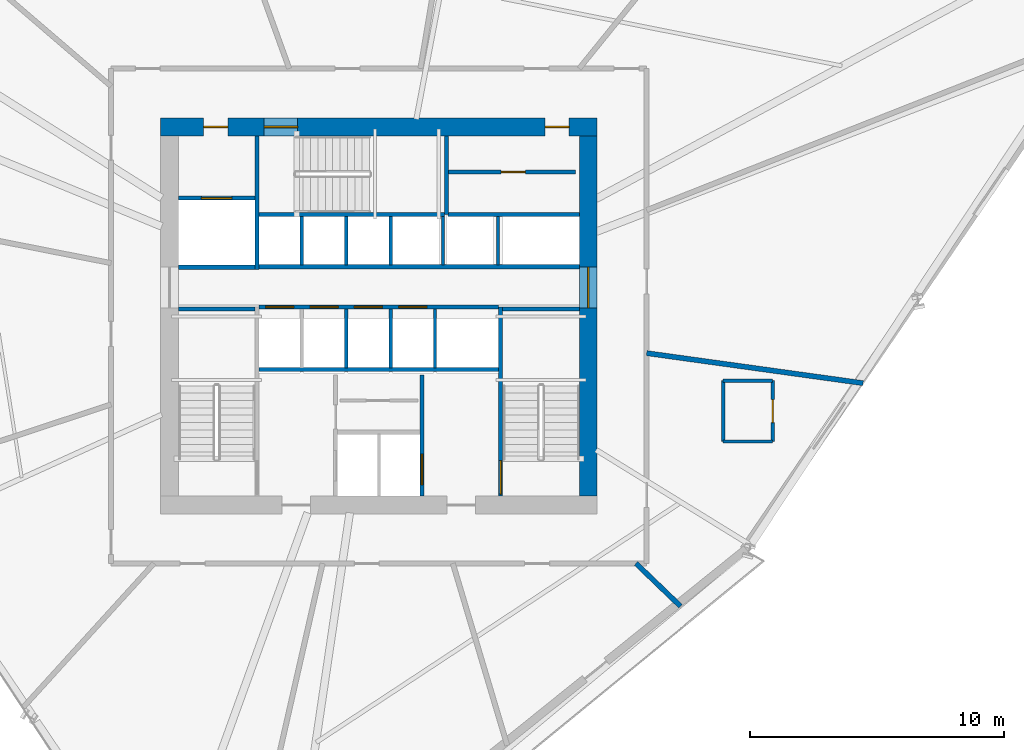
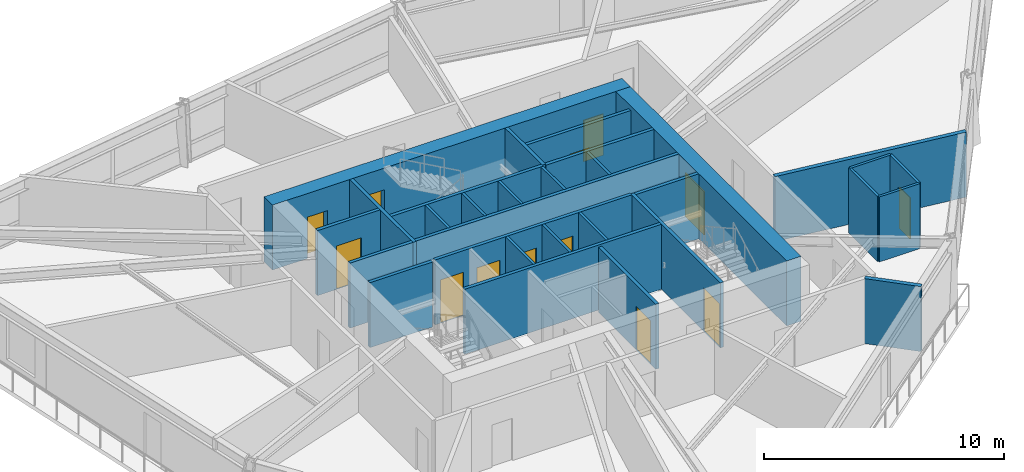
# One storey, part 10 of 14: 30 walls, 13 doors, 13 openings.
"""IFC4 building model written with IfcOpenShell, lengths in metres."""

from ifc_helpers import new_model, si_unit, direction, frame, frame_2d, origin, place, context, subcontext, project, spatial, rectangle, extrude, source, transform, mapped, material, layer, layer_set, type_object, type_shapes, element, fill, save


model = new_model("IFC4")

# Units and contexts
model_context = context("Model", 3, precision=1e-05, world=origin(), true_north=direction((0.0, 1.0)))
body_context = subcontext(model_context, "Body", "Model", "MODEL_VIEW")
ifc_project = project(units=[si_unit("LENGTHUNIT", "METRE"), si_unit("AREAUNIT", "SQUARE_METRE"), si_unit("VOLUMEUNIT", "CUBIC_METRE"), si_unit("PLANEANGLEUNIT", "RADIAN"), si_unit("MASSUNIT", "GRAM", prefix="KILO")], contexts=[model_context])

# Site, building, storey
site_placement = place(None, origin())
site = spatial("IfcSite", under=ifc_project, at=site_placement, CompositionType="ELEMENT")
building_placement = place(site_placement, origin())
building = spatial("IfcBuilding", under=site, at=building_placement, Name="Olszyna Solenne Hotel", CompositionType="ELEMENT")
storey_placement = place(building_placement, frame((0.0, 0.0, 130.550048828125)))
storey = spatial("IfcBuildingStorey", under=building, at=storey_placement, Name="L34", CompositionType="ELEMENT", Elevation=130.550048828125)

# Wall, openings, doors
ifc_material_1 = material(Name="Concrete C60/75", Category="concrete")
ifc_layer_1 = layer(ifc_material_1, 0.699951171875, Name="Concrete C60/75")
ifc_layer_set_1 = layer_set([ifc_layer_1], Name="Concrete C60/75")
wall_type_1 = type_object("IfcWallType", Name="WL-CR700", PredefinedType="SHEAR", material=ifc_layer_set_1)
wall_1_placement = place(storey_placement, frame((29.39990234375, 34.050048828125, 0.0), z_axis=(0.0, 0.0, 1.0), x_axis=(1.0, 0.0, 0.0)))
wall_1 = element("IfcWall", 1, at=wall_1_placement, inside=storey, type_object=wall_type_1, Name="Core shear wall WL-CR700 CRW-L34-N", PredefinedType="SHEAR", context=body_context, shape_type="SweptSolid", body=[
    extrude(rectangle(XDim=17.2001953125, YDim=0.699951171875, at=frame_2d((8.60009765625, 0.0))), origin(), (0.0, 0.0, 1.0), 3.300048828125),
])
opening_1_placement = place(wall_1_placement, frame((1.699951171875, 0.0, 0.0)))
opening_1 = element("IfcOpeningElement", 2, at=opening_1_placement, cuts=wall_1, Name="Opening SVD-L34-01", PredefinedType="OPENING", context=body_context, shape_type="SweptSolid", body=[
    extrude(rectangle(XDim=0.949951171875, YDim=2.10009765625, at=frame_2d((0.47509765625, 1.050048828125))), frame((0.0, 0.35986328125, 0.0), z_axis=(0.0, -1.0, 0.0), x_axis=(1.0, 0.0, 0.0)), (0.0, 0.0, 1.0), 0.719970703125),
])
opening_2_placement = place(wall_1_placement, frame((4.080078125, 0.0, 0.0)))
opening_2 = element("IfcOpeningElement", 3, at=opening_2_placement, cuts=wall_1, Name="Opening STD-L34-03", PredefinedType="OPENING", context=body_context, shape_type="SweptSolid", body=[
    extrude(rectangle(XDim=1.320068359375, YDim=2.199951171875, at=frame_2d((0.66015625, 1.10009765625))), frame((0.0, 0.35986328125, 0.0), z_axis=(0.0, -1.0, 0.0), x_axis=(1.0, 0.0, 0.0)), (0.0, 0.0, 1.0), 0.719970703125),
])
opening_3_placement = place(wall_1_placement, frame((15.14990234375, 0.0, 0.0)))
opening_3 = element("IfcOpeningElement", 4, at=opening_3_placement, cuts=wall_1, Name="Opening SVD-L34-BN", PredefinedType="OPENING", context=body_context, shape_type="SweptSolid", body=[
    extrude(rectangle(XDim=0.949951171875, YDim=2.10009765625, at=frame_2d((0.47509765625, 1.050048828125))), frame((0.0, 0.35986328125, 0.0), z_axis=(0.0, -1.0, 0.0), x_axis=(1.0, 0.0, 0.0)), (0.0, 0.0, 1.0), 0.719970703125),
])
ifc_material_2 = material(Name="Steel S355J2", Category="steel")
door_type_1 = type_object("IfcDoorType", Name="DR-ST1", OperationType="NOTDEFINED", PredefinedType="DOOR", material=ifc_material_2)
shared_shape_1 = source(origin(), body_context, "Body", "SweptSolid", [
    extrude(rectangle(XDim=1.320068359375, YDim=2.199951171875, at=frame_2d((0.66015625, 1.10009765625))), frame((0.0, 0.02490234375, 0.0), z_axis=(0.0, -1.0, 0.0), x_axis=(1.0, 0.0, 0.0)), (0.0, 0.0, 1.0), 0.050048828125),
])
type_shapes(door_type_1, [shared_shape_1])
door_1_placement = place(opening_2_placement, origin())
door_1 = element("IfcDoor", 5, at=door_1_placement, inside=storey, type_object=door_type_1, Name="Pressurised exit stair ST3 fire door STD-L34-03", OperationType="SINGLE_SWING_RIGHT", OverallHeight=2.199951171875, OverallWidth=1.320068359375, PredefinedType="DOOR", context=body_context, shape_type="MappedRepresentation", body=[
    mapped(shared_shape_1, transform((0.0, 0.0, 0.0), x_axis=(1.0, 0.0, 0.0), y_axis=(0.0, 1.0, 0.0), z_axis=(0.0, 0.0, 1.0), scale=1.0)),
])
fill(opening_2, door_1)
door_type_2 = type_object("IfcDoorType", Name="DR-SV1", OperationType="NOTDEFINED", PredefinedType="DOOR", material=ifc_material_2)
shared_shape_2 = source(origin(), body_context, "Body", "SweptSolid", [
    extrude(rectangle(XDim=0.949951171875, YDim=2.10009765625, at=frame_2d((0.47509765625, 1.050048828125))), frame((0.0, 0.02490234375, 0.0), z_axis=(0.0, -1.0, 0.0), x_axis=(1.0, 0.0, 0.0)), (0.0, 0.0, 1.0), 0.050048828125),
])
type_shapes(door_type_2, [shared_shape_2])
door_2_placement = place(opening_1_placement, origin())
door_2 = element("IfcDoor", 6, at=door_2_placement, inside=storey, type_object=door_type_2, Name="Service lift lobby fire door SVD-L34-01", OperationType="SINGLE_SWING_LEFT", OverallHeight=2.10009765625, OverallWidth=0.949951171875, PredefinedType="DOOR", context=body_context, shape_type="MappedRepresentation", body=[
    mapped(shared_shape_2, transform((0.0, 0.0, 0.0), x_axis=(1.0, 0.0, 0.0), y_axis=(0.0, 1.0, 0.0), z_axis=(0.0, 0.0, 1.0), scale=1.0)),
])
fill(opening_1, door_2)
door_3_placement = place(opening_3_placement, origin())
door_3 = element("IfcDoor", 7, at=door_3_placement, inside=storey, type_object=door_type_2, Name="Housekeeping core fire door SVD-L34-BN", OperationType="SINGLE_SWING_LEFT", OverallHeight=2.10009765625, OverallWidth=0.949951171875, PredefinedType="DOOR", context=body_context, shape_type="MappedRepresentation", body=[
    mapped(shared_shape_2, transform((0.0, 0.0, 0.0), x_axis=(1.0, 0.0, 0.0), y_axis=(0.0, 1.0, 0.0), z_axis=(0.0, 0.0, 1.0), scale=1.0)),
])
fill(opening_3, door_3)

# Wall, opening, door
wall_2_placement = place(storey_placement, frame((46.25, 33.699951171875, 0.0), z_axis=(0.0, 0.0, 1.0), x_axis=(0.0, -1.0, 0.0)))
wall_2 = element("IfcWall", 8, at=wall_2_placement, inside=storey, type_object=wall_type_1, Name="Core shear wall WL-CR700 CRW-L34-E", PredefinedType="SHEAR", context=body_context, shape_type="SweptSolid", body=[
    extrude(rectangle(XDim=14.199951171875, YDim=0.699951171875, at=frame_2d((7.10009765625, 0.0))), origin(), (0.0, 0.0, 1.0), 3.300048828125),
])
opening_4_placement = place(wall_2_placement, frame((5.179931640625, 0.0, 0.0)))
opening_4 = element("IfcOpeningElement", 9, at=opening_4_placement, cuts=wall_2, Name="Opening LHD-L34-E", PredefinedType="OPENING", context=body_context, shape_type="SweptSolid", body=[
    extrude(rectangle(XDim=1.60009765625, YDim=2.199951171875, at=frame_2d((0.800048828125, 1.10009765625))), frame((0.0, 0.35986328125, 0.0), z_axis=(0.0, -1.0, 0.0), x_axis=(1.0, 0.0, 0.0)), (0.0, 0.0, 1.0), 0.719970703125),
])
ifc_material_3 = material(Name="Timber hardwood", Category="wood")
door_type_3 = type_object("IfcDoorType", Name="DR-CR1", OperationType="DOUBLE_DOOR_SINGLE_SWING", PredefinedType="DOOR", material=ifc_material_3)
shared_shape_3 = source(origin(), body_context, "Body", "SweptSolid", [
    extrude(rectangle(XDim=1.60009765625, YDim=2.199951171875, at=frame_2d((0.800048828125, 1.10009765625))), frame((0.0, 0.02490234375, 0.0), z_axis=(0.0, -1.0, 0.0), x_axis=(1.0, 0.0, 0.0)), (0.0, 0.0, 1.0), 0.050048828125),
])
type_shapes(door_type_3, [shared_shape_3])
door_4_placement = place(opening_4_placement, origin())
door_4 = element("IfcDoor", 10, at=door_4_placement, inside=storey, type_object=door_type_3, Name="Passenger lift lobby East fire door LHD-L34-E", OperationType="DOUBLE_DOOR_SINGLE_SWING", OverallHeight=2.199951171875, OverallWidth=1.60009765625, PredefinedType="DOOR", context=body_context, shape_type="MappedRepresentation", body=[
    mapped(shared_shape_3, transform((0.0, 0.0, 0.0), x_axis=(1.0, 0.0, 0.0), y_axis=(0.0, 1.0, 0.0), z_axis=(0.0, 0.0, 1.0), scale=1.0)),
])
fill(opening_4, door_4)

# Walls
ifc_material_4 = material(Name="Acoustic gypsum partition", Category="gypsum")
ifc_layer_2 = layer(ifc_material_4, 0.125, Name="Acoustic gypsum partition")
ifc_layer_set_2 = layer_set([ifc_layer_2], Name="Acoustic gypsum partition")
wall_type_2 = type_object("IfcWallType", Name="WL-PT125", PredefinedType="PARTITIONING", material=ifc_layer_set_2)
for number, where, z_axis, x_axis, name in (
    (11, (36.715087890625, 24.56005859375, 0.0), (0.0, 0.0, 1.0), (0.0, 1.0, 0.0), "Core shaft compartment wall CW-L34-DIVS367"),
    (12, (38.465087890625, 24.56005859375, 0.0), (0.0, 0.0, 1.0), (0.0, 1.0, 0.0), "Core shaft compartment wall CW-L34-DIVS384"),
    (13, (40.215087890625, 24.56005859375, 0.0), (0.0, 0.0, 1.0), (0.0, 1.0, 0.0), "Core shaft compartment wall CW-L34-DIVS402"),
):
    element("IfcWall", number, at=place(storey_placement, frame(where, z_axis=z_axis, x_axis=x_axis)), inside=storey, type_object=wall_type_2, Name=name, PredefinedType="PARTITIONING", context=body_context, shape_type="SweptSolid", body=[
        extrude(rectangle(XDim=2.31005859375, YDim=0.125, at=frame_2d((1.155029296875, 0.0))), origin(), (0.0, 0.0, 1.0), 3.300048828125),
    ])
for number, where, z_axis, x_axis, name in (
    (14, (34.965087890625, 28.60009765625, 0.0), (0.0, 0.0, 1.0), (0.0, 1.0, 0.0), "Core shaft compartment wall CW-L34-DIVN349"),
    (15, (36.715087890625, 28.60009765625, 0.0), (0.0, 0.0, 1.0), (0.0, 1.0, 0.0), "Core shaft compartment wall CW-L34-DIVN367"),
    (16, (38.465087890625, 28.60009765625, 0.0), (0.0, 0.0, 1.0), (0.0, 1.0, 0.0), "Core shaft compartment wall CW-L34-DIVN384"),
    (17, (40.52490234375, 28.60009765625, 0.0), (0.0, 0.0, 1.0), (0.0, 1.0, 0.0), "Core shaft compartment wall CW-L34-DIVEX405"),
    (18, (42.699951171875, 28.60009765625, 0.0), (0.0, 0.0, 1.0), (0.0, 1.0, 0.0), "Core shaft compartment wall CW-L34-DIVEX427"),
):
    element("IfcWall", number, at=place(storey_placement, frame(where, z_axis=z_axis, x_axis=x_axis)), inside=storey, type_object=wall_type_2, Name=name, PredefinedType="PARTITIONING", context=body_context, shape_type="SweptSolid", body=[
        extrude(rectangle(XDim=1.919921875, YDim=0.125, at=frame_2d((0.9599609375, 0.0))), origin(), (0.0, 0.0, 1.0), 3.300048828125),
    ])

# Wall, opening, door
wall_3_placement = place(storey_placement, frame((53.514892578125, 21.65087890625, 0.0), z_axis=(0.0, 0.0, 1.0), x_axis=(0.0, 1.0, 0.0)))
wall_3 = element("IfcWall", 19, at=wall_3_placement, inside=storey, type_object=wall_type_2, Name="Interior acoustic partition WL-PT125 PW-L34-1973", PredefinedType="PARTITIONING", context=body_context, shape_type="SweptSolid", body=[
    extrude(rectangle(XDim=2.400146484375, YDim=0.125, at=frame_2d((1.2001953125, 0.0))), origin(), (0.0, 0.0, 1.0), 3.300048828125),
])
opening_5_placement = place(wall_3_placement, frame((0.75, 0.0, 0.0)))
opening_5 = element("IfcOpeningElement", 20, at=opening_5_placement, cuts=wall_3, Name="Opening DR-L34-0473", PredefinedType="OPENING", context=body_context, shape_type="SweptSolid", body=[
    extrude(rectangle(XDim=0.89990234375, YDim=2.10009765625, at=frame_2d((0.449951171875, 1.050048828125))), frame((0.0, 0.072509765625, 0.0), z_axis=(0.0, -1.0, 0.0), x_axis=(1.0, 0.0, 0.0)), (0.0, 0.0, 1.0), 0.14501953125),
])
door_type_4 = type_object("IfcDoorType", Name="DR-WC1", OperationType="NOTDEFINED", PredefinedType="DOOR", material=ifc_material_3)
shared_shape_4 = source(origin(), body_context, "Body", "SweptSolid", [
    extrude(rectangle(XDim=0.89990234375, YDim=2.10009765625, at=frame_2d((0.449951171875, 1.050048828125))), frame((0.0, 0.02490234375, 0.0), z_axis=(0.0, -1.0, 0.0), x_axis=(1.0, 0.0, 0.0)), (0.0, 0.0, 1.0), 0.050048828125),
])
type_shapes(door_type_4, [shared_shape_4])
door_5_placement = place(opening_5_placement, origin())
door_5 = element("IfcDoor", 21, at=door_5_placement, inside=storey, type_object=door_type_4, Name="En-Suite Bathroom Door DR-L34-0473", OperationType="SINGLE_SWING_LEFT", OverallHeight=2.10009765625, OverallWidth=0.89990234375, PredefinedType="DOOR", context=body_context, shape_type="MappedRepresentation", body=[
    mapped(shared_shape_4, transform((0.0, 0.0, 0.0), x_axis=(1.0, 0.0, 0.0), y_axis=(0.0, 1.0, 0.0), z_axis=(0.0, 0.0, 1.0), scale=1.0)),
])
fill(opening_5, door_5)

# Walls
wall_4_placement = place(storey_placement, frame((53.514892578125, 24.051025390625, 0.0), z_axis=(0.0, 0.0, 1.0), x_axis=(-1.0, 0.0, 0.0)))
element("IfcWall", 22, at=wall_4_placement, inside=storey, type_object=wall_type_2, Name="Interior acoustic partition WL-PT125 PW-L34-1974", PredefinedType="PARTITIONING", context=body_context, shape_type="SweptSolid", body=[
    extrude(rectangle(XDim=1.949951171875, YDim=0.125, at=frame_2d((0.97509765625, 0.0))), origin(), (0.0, 0.0, 1.0), 3.300048828125),
])
wall_5_placement = place(storey_placement, frame((51.56494140625, 24.051025390625, 0.0), z_axis=(0.0, 0.0, 1.0), x_axis=(0.0, -1.0, 0.0)))
element("IfcWall", 23, at=wall_5_placement, inside=storey, type_object=wall_type_2, Name="Interior acoustic partition WL-PT125 PW-L34-1975", PredefinedType="PARTITIONING", context=body_context, shape_type="SweptSolid", body=[
    extrude(rectangle(XDim=2.400146484375, YDim=0.125, at=frame_2d((1.2001953125, 0.0))), origin(), (0.0, 0.0, 1.0), 3.300048828125),
])
wall_6_placement = place(storey_placement, frame((51.56494140625, 21.65087890625, 0.0), z_axis=(0.0, 0.0, 1.0), x_axis=(1.0, 0.0, 0.0)))
element("IfcWall", 24, at=wall_6_placement, inside=storey, type_object=wall_type_2, Name="Interior acoustic partition WL-PT125 PW-L34-1976", PredefinedType="PARTITIONING", context=body_context, shape_type="SweptSolid", body=[
    extrude(rectangle(XDim=1.949951171875, YDim=0.125, at=frame_2d((0.97509765625, 0.0))), origin(), (0.0, 0.0, 1.0), 3.300048828125),
])
ifc_layer_3 = layer(ifc_material_4, 0.159912109375, Name="Acoustic gypsum partition")
ifc_layer_set_3 = layer_set([ifc_layer_3], Name="Acoustic gypsum partition")
wall_type_3 = type_object("IfcWallType", Name="WL-PT160", PredefinedType="PARTITIONING", material=ifc_layer_set_3)
wall_7_placement = place(storey_placement, frame((30.10009765625, 26.8798828125, 0.0), z_axis=(0.0, 0.0, 1.0), x_axis=(1.0, 0.0, 0.0)))
element("IfcWall", 25, at=wall_7_placement, inside=storey, type_object=wall_type_3, Name="Core shaft compartment wall CW-L34-ST1N", PredefinedType="PARTITIONING", context=body_context, shape_type="SweptSolid", body=[
    extrude(rectangle(XDim=3.02001953125, YDim=0.159912109375, at=frame_2d((1.510009765625, 0.0))), origin(), (0.0, 0.0, 1.0), 3.300048828125),
])

# Wall, opening, door
wall_8_placement = place(storey_placement, frame((42.800048828125, 26.9599609375, 0.0), z_axis=(0.0, 0.0, 1.0), x_axis=(0.0, -1.0, 0.0)))
wall_8 = element("IfcWall", 26, at=wall_8_placement, inside=storey, type_object=wall_type_3, Name="Core shaft compartment wall CW-L34-ST2W", PredefinedType="PARTITIONING", context=body_context, shape_type="SweptSolid", body=[
    extrude(rectangle(XDim=7.4599609375, YDim=0.159912109375, at=frame_2d((3.72998046875, 0.0))), origin(), (0.0, 0.0, 1.0), 3.300048828125),
])
opening_6_placement = place(wall_8_placement, frame((6.06005859375, 0.0, 0.0)))
opening_6 = element("IfcOpeningElement", 27, at=opening_6_placement, cuts=wall_8, Name="Opening STD-L34-02", PredefinedType="OPENING", context=body_context, shape_type="SweptSolid", body=[
    extrude(rectangle(XDim=1.320068359375, YDim=2.199951171875, at=frame_2d((0.66015625, 1.10009765625))), frame((0.0, 0.08984375, 0.0), z_axis=(0.0, -1.0, 0.0), x_axis=(1.0, 0.0, 0.0)), (0.0, 0.0, 1.0), 0.179931640625),
])
door_6_placement = place(opening_6_placement, origin())
door_6 = element("IfcDoor", 28, at=door_6_placement, inside=storey, type_object=door_type_1, Name="Pressurised exit stair ST2 fire door STD-L34-02", OperationType="SINGLE_SWING_RIGHT", OverallHeight=2.199951171875, OverallWidth=1.320068359375, PredefinedType="DOOR", context=body_context, shape_type="MappedRepresentation", body=[
    mapped(shared_shape_1, transform((0.0, 0.0, 0.0), x_axis=(1.0, 0.0, 0.0), y_axis=(0.0, 1.0, 0.0), z_axis=(0.0, 0.0, 1.0), scale=1.0)),
])
fill(opening_6, door_6)

# Walls
wall_9_placement = place(storey_placement, frame((42.8798828125, 26.8798828125, 0.0), z_axis=(0.0, 0.0, 1.0), x_axis=(1.0, 0.0, 0.0)))
element("IfcWall", 29, at=wall_9_placement, inside=storey, type_object=wall_type_3, Name="Core shaft compartment wall CW-L34-ST2N", PredefinedType="PARTITIONING", context=body_context, shape_type="SweptSolid", body=[
    extrude(rectangle(XDim=3.02001953125, YDim=0.159912109375, at=frame_2d((1.510009765625, 0.0))), origin(), (0.0, 0.0, 1.0), 3.300048828125),
])
wall_10_placement = place(storey_placement, frame((33.280029296875, 30.60009765625, 0.0), z_axis=(0.0, 0.0, 1.0), x_axis=(1.0, 0.0, 0.0)))
element("IfcWall", 30, at=wall_10_placement, inside=storey, type_object=wall_type_3, Name="Core shaft compartment wall CW-L34-ST3S", PredefinedType="PARTITIONING", context=body_context, shape_type="SweptSolid", body=[
    extrude(rectangle(XDim=7.300048828125, YDim=0.159912109375, at=frame_2d((3.64990234375, 0.0))), origin(), (0.0, 0.0, 1.0), 3.300048828125),
])
wall_11_placement = place(storey_placement, frame((40.659912109375, 30.60009765625, 0.0), z_axis=(0.0, 0.0, 1.0), x_axis=(0.0, 1.0, 0.0)))
element("IfcWall", 31, at=wall_11_placement, inside=storey, type_object=wall_type_3, Name="Core shaft compartment wall CW-L34-ST3E", PredefinedType="PARTITIONING", context=body_context, shape_type="SweptSolid", body=[
    extrude(rectangle(XDim=3.099853515625, YDim=0.159912109375, at=frame_2d((1.5498046875, 0.0))), origin(), (0.0, 0.0, 1.0), 3.300048828125),
])

# Wall, opening, door
wall_12_placement = place(storey_placement, frame((39.699951171875, 24.280029296875, 0.0), z_axis=(0.0, 0.0, 1.0), x_axis=(0.0, -1.0, 0.0)))
wall_12 = element("IfcWall", 32, at=wall_12_placement, inside=storey, type_object=wall_type_3, Name="Core shaft compartment wall CW-L34-FF2E", PredefinedType="PARTITIONING", context=body_context, shape_type="SweptSolid", body=[
    extrude(rectangle(XDim=4.780029296875, YDim=0.159912109375, at=frame_2d((2.39013671875, 0.0))), origin(), (0.0, 0.0, 1.0), 3.300048828125),
])
opening_7_placement = place(wall_12_placement, frame((3.1201171875, 0.0, 0.0)))
opening_7 = element("IfcOpeningElement", 33, at=opening_7_placement, cuts=wall_12, Name="Opening LD-L34-FF2", PredefinedType="OPENING", context=body_context, shape_type="SweptSolid", body=[
    extrude(rectangle(XDim=1.199951171875, YDim=2.199951171875, at=frame_2d((0.60009765625, 1.10009765625))), frame((0.0, 0.08984375, 0.0), z_axis=(0.0, -1.0, 0.0), x_axis=(1.0, 0.0, 0.0)), (0.0, 0.0, 1.0), 0.179931640625),
])
door_type_5 = type_object("IfcDoorType", Name="LD-FF1", OperationType="DOUBLE_DOOR_SLIDING", PredefinedType="DOOR", material=ifc_material_2)
shared_shape_5 = source(origin(), body_context, "Body", "SweptSolid", [
    extrude(rectangle(XDim=1.199951171875, YDim=2.199951171875, at=frame_2d((0.60009765625, 1.10009765625))), frame((0.0, 0.02490234375, 0.0), z_axis=(0.0, -1.0, 0.0), x_axis=(1.0, 0.0, 0.0)), (0.0, 0.0, 1.0), 0.050048828125),
])
type_shapes(door_type_5, [shared_shape_5])
door_7_placement = place(opening_7_placement, origin())
door_7 = element("IfcDoor", 34, at=door_7_placement, inside=storey, type_object=door_type_5, Name="Firefighters lift FF2 sliding landing door LD-L34-FF2", OperationType="DOUBLE_DOOR_SLIDING", OverallHeight=2.199951171875, OverallWidth=1.199951171875, PredefinedType="DOOR", context=body_context, shape_type="MappedRepresentation", body=[
    mapped(shared_shape_5, transform((0.0, 0.0, 0.0), x_axis=(1.0, 0.0, 0.0), y_axis=(0.0, 1.0, 0.0), z_axis=(0.0, 0.0, 1.0), scale=1.0)),
])
fill(opening_7, door_7)

# Walls
wall_13_placement = place(storey_placement, frame((33.280029296875, 24.489990234375, 0.0), z_axis=(0.0, 0.0, 1.0), x_axis=(1.0, 0.0, 0.0)))
element("IfcWall", 35, at=wall_13_placement, inside=storey, type_object=wall_type_3, Name="Core shaft compartment wall CW-L34-FFBN", PredefinedType="PARTITIONING", context=body_context, shape_type="SweptSolid", body=[
    extrude(rectangle(XDim=9.43994140625, YDim=0.159912109375, at=frame_2d((4.719970703125, 0.0))), origin(), (0.0, 0.0, 1.0), 3.300048828125),
])
wall_14_placement = place(storey_placement, frame((30.10009765625, 28.52001953125, 0.0), z_axis=(0.0, 0.0, 1.0), x_axis=(1.0, 0.0, 0.0)))
element("IfcWall", 36, at=wall_14_placement, inside=storey, type_object=wall_type_3, Name="Core shaft compartment wall CW-L34-SV1S", PredefinedType="PARTITIONING", context=body_context, shape_type="SweptSolid", body=[
    extrude(rectangle(XDim=3.02001953125, YDim=0.159912109375, at=frame_2d((1.510009765625, 0.0))), origin(), (0.0, 0.0, 1.0), 3.300048828125),
])
wall_15_placement = place(storey_placement, frame((33.199951171875, 28.43994140625, 0.0), z_axis=(0.0, 0.0, 1.0), x_axis=(0.0, 1.0, 0.0)))
element("IfcWall", 37, at=wall_15_placement, inside=storey, type_object=wall_type_3, Name="Core shaft compartment wall CW-L34-SV1E", PredefinedType="PARTITIONING", context=body_context, shape_type="SweptSolid", body=[
    extrude(rectangle(XDim=5.260009765625, YDim=0.159912109375, at=frame_2d((2.6298828125, 0.0))), origin(), (0.0, 0.0, 1.0), 3.300048828125),
])

# Wall, opening, door
wall_16_placement = place(storey_placement, frame((30.10009765625, 31.239990234375, 0.0), z_axis=(0.0, 0.0, 1.0), x_axis=(1.0, 0.0, 0.0)))
wall_16 = element("IfcWall", 38, at=wall_16_placement, inside=storey, type_object=wall_type_3, Name="Core shaft compartment wall CW-L34-SV1N", PredefinedType="PARTITIONING", context=body_context, shape_type="SweptSolid", body=[
    extrude(rectangle(XDim=3.02001953125, YDim=0.159912109375, at=frame_2d((1.510009765625, 0.0))), origin(), (0.0, 0.0, 1.0), 3.300048828125),
])
opening_8_placement = place(wall_16_placement, frame((0.909912109375, 0.0, 0.0)))
opening_8 = element("IfcOpeningElement", 39, at=opening_8_placement, cuts=wall_16, Name="Opening LD-L34-SV1", PredefinedType="OPENING", context=body_context, shape_type="SweptSolid", body=[
    extrude(rectangle(XDim=1.199951171875, YDim=2.199951171875, at=frame_2d((0.60009765625, 1.10009765625))), frame((0.0, 0.08984375, 0.0), z_axis=(0.0, -1.0, 0.0), x_axis=(1.0, 0.0, 0.0)), (0.0, 0.0, 1.0), 0.179931640625),
])
door_8_placement = place(opening_8_placement, origin())
door_8 = element("IfcDoor", 40, at=door_8_placement, inside=storey, type_object=door_type_5, Name="Service lift SV1 sliding landing door LD-L34-SV1", OperationType="DOUBLE_DOOR_SLIDING", OverallHeight=2.199951171875, OverallWidth=1.199951171875, PredefinedType="DOOR", context=body_context, shape_type="MappedRepresentation", body=[
    mapped(shared_shape_5, transform((0.0, 0.0, 0.0), x_axis=(1.0, 0.0, 0.0), y_axis=(0.0, 1.0, 0.0), z_axis=(0.0, 0.0, 1.0), scale=1.0)),
])
fill(opening_8, door_8)

# Wall, openings, doors
wall_17_placement = place(storey_placement, frame((33.280029296875, 26.949951171875, 0.0), z_axis=(0.0, 0.0, 1.0), x_axis=(1.0, 0.0, 0.0)))
wall_17 = element("IfcWall", 41, at=wall_17_placement, inside=storey, type_object=wall_type_3, Name="Core shaft compartment wall CW-L34-LRS", PredefinedType="PARTITIONING", context=body_context, shape_type="SweptSolid", body=[
    extrude(rectangle(XDim=9.43994140625, YDim=0.159912109375, at=frame_2d((4.719970703125, 0.0))), origin(), (0.0, 0.0, 1.0), 3.300048828125),
])
opening_9_placement = place(wall_17_placement, frame((0.260009765625, 0.0, 0.0)))
opening_9 = element("IfcOpeningElement", 42, at=opening_9_placement, cuts=wall_17, Name="Opening LD-L34-PL1", PredefinedType="OPENING", context=body_context, shape_type="SweptSolid", body=[
    extrude(rectangle(XDim=1.10009765625, YDim=2.199951171875, at=frame_2d((0.550048828125, 1.10009765625))), frame((0.0, 0.08984375, 0.0), z_axis=(0.0, -1.0, 0.0), x_axis=(1.0, 0.0, 0.0)), (0.0, 0.0, 1.0), 0.179931640625),
])
opening_10_placement = place(wall_17_placement, frame((2.010009765625, 0.0, 0.0)))
opening_10 = element("IfcOpeningElement", 43, at=opening_10_placement, cuts=wall_17, Name="Opening LD-L34-PL2", PredefinedType="OPENING", context=body_context, shape_type="SweptSolid", body=[
    extrude(rectangle(XDim=1.10009765625, YDim=2.199951171875, at=frame_2d((0.550048828125, 1.10009765625))), frame((0.0, 0.08984375, 0.0), z_axis=(0.0, -1.0, 0.0), x_axis=(1.0, 0.0, 0.0)), (0.0, 0.0, 1.0), 0.179931640625),
])
opening_11_placement = place(wall_17_placement, frame((3.760009765625, 0.0, 0.0)))
opening_11 = element("IfcOpeningElement", 44, at=opening_11_placement, cuts=wall_17, Name="Opening LD-L34-PL3", PredefinedType="OPENING", context=body_context, shape_type="SweptSolid", body=[
    extrude(rectangle(XDim=1.10009765625, YDim=2.199951171875, at=frame_2d((0.550048828125, 1.10009765625))), frame((0.0, 0.08984375, 0.0), z_axis=(0.0, -1.0, 0.0), x_axis=(1.0, 0.0, 0.0)), (0.0, 0.0, 1.0), 0.179931640625),
])
opening_12_placement = place(wall_17_placement, frame((5.510009765625, 0.0, 0.0)))
opening_12 = element("IfcOpeningElement", 45, at=opening_12_placement, cuts=wall_17, Name="Opening LD-L34-PL4", PredefinedType="OPENING", context=body_context, shape_type="SweptSolid", body=[
    extrude(rectangle(XDim=1.10009765625, YDim=2.199951171875, at=frame_2d((0.550048828125, 1.10009765625))), frame((0.0, 0.08984375, 0.0), z_axis=(0.0, -1.0, 0.0), x_axis=(1.0, 0.0, 0.0)), (0.0, 0.0, 1.0), 0.179931640625),
])
door_type_6 = type_object("IfcDoorType", Name="LD-P1", OperationType="DOUBLE_DOOR_SLIDING", PredefinedType="DOOR", material=ifc_material_2)
shared_shape_6 = source(origin(), body_context, "Body", "SweptSolid", [
    extrude(rectangle(XDim=1.10009765625, YDim=2.199951171875, at=frame_2d((0.550048828125, 1.10009765625))), frame((0.0, 0.02490234375, 0.0), z_axis=(0.0, -1.0, 0.0), x_axis=(1.0, 0.0, 0.0)), (0.0, 0.0, 1.0), 0.050048828125),
])
type_shapes(door_type_6, [shared_shape_6])
door_9_placement = place(opening_9_placement, origin())
door_9 = element("IfcDoor", 46, at=door_9_placement, inside=storey, type_object=door_type_6, Name="Passenger lift PL1 sliding landing door LD-L34-PL1", OperationType="DOUBLE_DOOR_SLIDING", OverallHeight=2.199951171875, OverallWidth=1.10009765625, PredefinedType="DOOR", context=body_context, shape_type="MappedRepresentation", body=[
    mapped(shared_shape_6, transform((0.0, 0.0, 0.0), x_axis=(1.0, 0.0, 0.0), y_axis=(0.0, 1.0, 0.0), z_axis=(0.0, 0.0, 1.0), scale=1.0)),
])
fill(opening_9, door_9)
door_10_placement = place(opening_10_placement, origin())
door_10 = element("IfcDoor", 47, at=door_10_placement, inside=storey, type_object=door_type_6, Name="Passenger lift PL2 sliding landing door LD-L34-PL2", OperationType="DOUBLE_DOOR_SLIDING", OverallHeight=2.199951171875, OverallWidth=1.10009765625, PredefinedType="DOOR", context=body_context, shape_type="MappedRepresentation", body=[
    mapped(shared_shape_6, transform((0.0, 0.0, 0.0), x_axis=(1.0, 0.0, 0.0), y_axis=(0.0, 1.0, 0.0), z_axis=(0.0, 0.0, 1.0), scale=1.0)),
])
fill(opening_10, door_10)
door_11_placement = place(opening_11_placement, origin())
door_11 = element("IfcDoor", 48, at=door_11_placement, inside=storey, type_object=door_type_6, Name="Passenger lift PL3 sliding landing door LD-L34-PL3", OperationType="DOUBLE_DOOR_SLIDING", OverallHeight=2.199951171875, OverallWidth=1.10009765625, PredefinedType="DOOR", context=body_context, shape_type="MappedRepresentation", body=[
    mapped(shared_shape_6, transform((0.0, 0.0, 0.0), x_axis=(1.0, 0.0, 0.0), y_axis=(0.0, 1.0, 0.0), z_axis=(0.0, 0.0, 1.0), scale=1.0)),
])
fill(opening_11, door_11)
door_12_placement = place(opening_12_placement, origin())
door_12 = element("IfcDoor", 49, at=door_12_placement, inside=storey, type_object=door_type_6, Name="Passenger lift PL4 sliding landing door LD-L34-PL4", OperationType="DOUBLE_DOOR_SLIDING", OverallHeight=2.199951171875, OverallWidth=1.10009765625, PredefinedType="DOOR", context=body_context, shape_type="MappedRepresentation", body=[
    mapped(shared_shape_6, transform((0.0, 0.0, 0.0), x_axis=(1.0, 0.0, 0.0), y_axis=(0.0, 1.0, 0.0), z_axis=(0.0, 0.0, 1.0), scale=1.0)),
])
fill(opening_12, door_12)

# Walls
wall_18_placement = place(storey_placement, frame((33.280029296875, 28.5400390625, 0.0), z_axis=(0.0, 0.0, 1.0), x_axis=(1.0, 0.0, 0.0)))
element("IfcWall", 50, at=wall_18_placement, inside=storey, type_object=wall_type_3, Name="Core shaft compartment wall CW-L34-LRN", PredefinedType="PARTITIONING", context=body_context, shape_type="SweptSolid", body=[
    extrude(rectangle(XDim=12.619873046875, YDim=0.159912109375, at=frame_2d((6.31005859375, 0.0))), origin(), (0.0, 0.0, 1.0), 3.300048828125),
])
wall_19_placement = place(storey_placement, frame((40.719970703125, 30.60009765625, 0.0), z_axis=(0.0, 0.0, 1.0), x_axis=(1.0, 0.0, 0.0)))
element("IfcWall", 51, at=wall_19_placement, inside=storey, type_object=wall_type_3, Name="Core shaft compartment wall CW-L34-LRNTOP", PredefinedType="PARTITIONING", context=body_context, shape_type="SweptSolid", body=[
    extrude(rectangle(XDim=5.179931640625, YDim=0.159912109375, at=frame_2d((2.58984375, 0.0))), origin(), (0.0, 0.0, 1.0), 3.300048828125),
])

# Wall, opening, door
wall_20_placement = place(storey_placement, frame((40.719970703125, 32.27001953125, 0.0), z_axis=(0.0, 0.0, 1.0), x_axis=(1.0, 0.0, 0.0)))
wall_20 = element("IfcWall", 52, at=wall_20_placement, inside=storey, type_object=wall_type_3, Name="Core shaft compartment wall CW-L34-BOH2", PredefinedType="PARTITIONING", context=body_context, shape_type="SweptSolid", body=[
    extrude(rectangle(XDim=5.030029296875, YDim=0.159912109375, at=frame_2d((2.51513671875, 0.0))), origin(), (0.0, 0.0, 1.0), 3.300048828125),
])
opening_13_placement = place(wall_20_placement, frame((2.10009765625, 0.0, 0.0)))
opening_13 = element("IfcOpeningElement", 53, at=opening_13_placement, cuts=wall_20, Name="Opening SVD-L34-BI2", PredefinedType="OPENING", context=body_context, shape_type="SweptSolid", body=[
    extrude(rectangle(XDim=0.949951171875, YDim=2.10009765625, at=frame_2d((0.47509765625, 1.050048828125))), frame((0.0, 0.08984375, 0.0), z_axis=(0.0, -1.0, 0.0), x_axis=(1.0, 0.0, 0.0)), (0.0, 0.0, 1.0), 0.179931640625),
])
door_13_placement = place(opening_13_placement, origin())
door_13 = element("IfcDoor", 54, at=door_13_placement, inside=storey, type_object=door_type_2, Name="BOH inter-room fire door SVD-L34-BI2", OperationType="SINGLE_SWING_RIGHT", OverallHeight=2.10009765625, OverallWidth=0.949951171875, PredefinedType="DOOR", context=body_context, shape_type="MappedRepresentation", body=[
    mapped(shared_shape_2, transform((0.0, 0.0, 0.0), x_axis=(1.0, 0.0, 0.0), y_axis=(0.0, 1.0, 0.0), z_axis=(0.0, 0.0, 1.0), scale=1.0)),
])
fill(opening_13, door_13)

# Walls
ifc_layer_4 = layer(ifc_material_4, 0.199951171875, Name="Acoustic gypsum partition")
ifc_layer_set_4 = layer_set([ifc_layer_4], Name="Acoustic gypsum partition")
wall_type_4 = type_object("IfcWallType", Name="WL-PT200", PredefinedType="PARTITIONING", material=ifc_layer_set_4)
wall_21_placement = place(storey_placement, frame((48.550048828125, 25.135986328125, 0.0), z_axis=(0.0, 0.0, 1.0), x_axis=(0.990510941898, -0.137433889493, 0.0)))
element("IfcWall", 55, at=wall_21_placement, inside=storey, type_object=wall_type_4, Name="Interior acoustic partition WL-PT200 PW-L34-1961", PredefinedType="PARTITIONING", context=body_context, shape_type="SweptSolid", body=[
    extrude(rectangle(XDim=8.608642578125, YDim=0.199951171875, at=frame_2d((4.30419921875, 0.0))), origin(), (0.0, 0.0, 1.0), 3.300048828125),
])
wall_22_placement = place(storey_placement, frame((48.131591796875, 16.85009765625, 0.0), z_axis=(0.0, 0.0, 1.0), x_axis=(0.720560376071, -0.69339220102, 0.0)))
element("IfcWall", 56, at=wall_22_placement, inside=storey, type_object=wall_type_4, Name="Interior acoustic partition WL-PT200 PW-L34-1972", PredefinedType="PARTITIONING", context=body_context, shape_type="SweptSolid", body=[
    extrude(rectangle(XDim=2.42626953125, YDim=0.199951171875, at=frame_2d((1.213134765625, 0.0))), origin(), (0.0, 0.0, 1.0), 3.300048828125),
])

save(model, "model.ifc")
